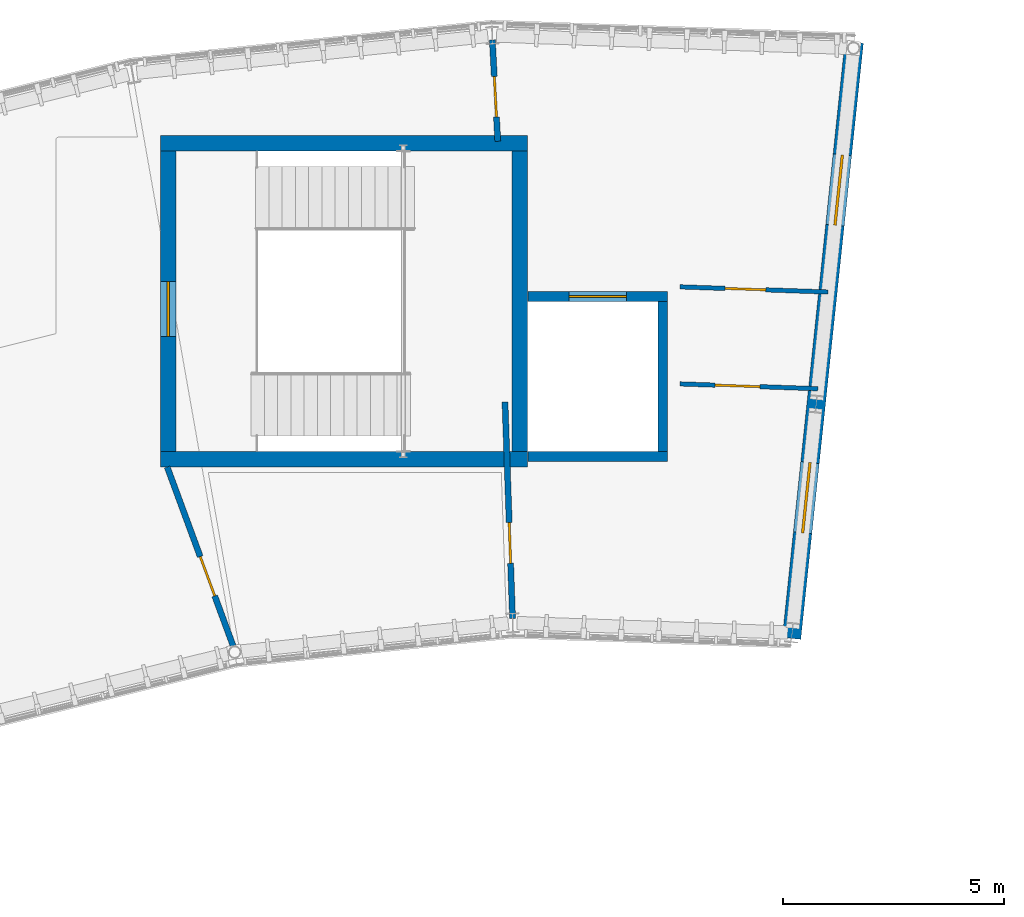
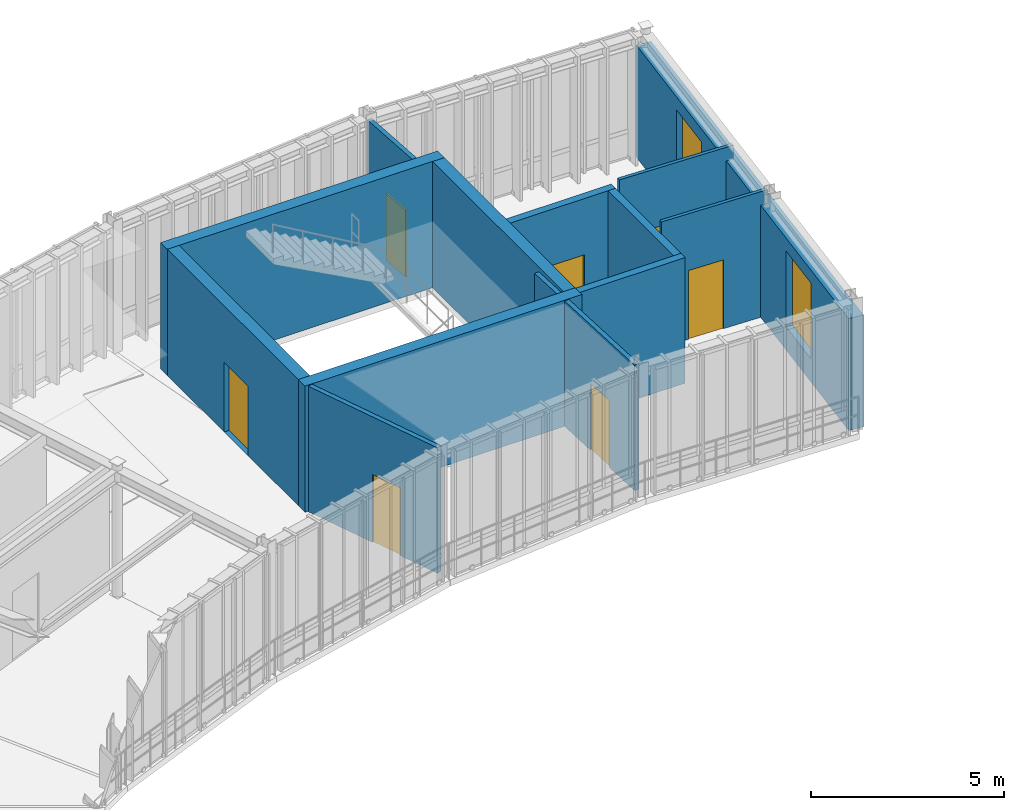
# One storey, part 42 of 52: 13 walls, 7 doors, 2 windows, 9 openings.
"""IFC4 building model written with IfcOpenShell, lengths in metres."""

from ifc_helpers import new_model, si_unit, direction, frame, frame_2d, origin, place, context, subcontext, project, spatial, rectangle, extrude, material, layer, layer_set, type_object, element, fill, save


model = new_model("IFC4")

# Units and contexts
model_context = context("Model", 3, precision=1e-05, world=origin(), true_north=direction((0.0, 1.0)))
body_context = subcontext(model_context, "Body", "Model", "MODEL_VIEW")
ifc_project = project(units=[si_unit("LENGTHUNIT", "METRE"), si_unit("AREAUNIT", "SQUARE_METRE"), si_unit("VOLUMEUNIT", "CUBIC_METRE"), si_unit("PLANEANGLEUNIT", "RADIAN"), si_unit("MASSUNIT", "GRAM", prefix="KILO"), si_unit("THERMODYNAMICTEMPERATUREUNIT", "KELVIN"), si_unit("POWERUNIT", "WATT")], contexts=[model_context])

# Site, building, storey
site_placement = place(None, origin())
site = spatial("IfcSite", under=ifc_project, at=site_placement, CompositionType="ELEMENT")
building_placement = place(site_placement, origin())
building = spatial("IfcBuilding", under=site, at=building_placement, Name="Solvatero Civic Police Headquarters", CompositionType="ELEMENT")
storey_placement = place(building_placement, frame((0.0, 0.0, 13.5)))
storey = spatial("IfcBuildingStorey", under=building, at=storey_placement, Name="L03", CompositionType="ELEMENT", Elevation=13.5)

# Wall, openings, windows
ifc_material_1 = material(Name="Cream Limestone Ashlar", Category="masonry")
ifc_layer_1 = layer(ifc_material_1, 0.419921875)
ifc_layer_set_1 = layer_set([ifc_layer_1], Name="Cream Limestone Ashlar")
wall_type_1 = type_object("IfcWallType", Name="WL-EXT-LIME-420", PredefinedType="SOLIDWALL", material=ifc_layer_set_1)
wall_1_placement = place(storey_placement, frame((98.726806640625, 70.972412109375, 0.0), z_axis=(0.0, 0.0, 1.0), x_axis=(0.104534827036, 0.994521226489, 0.0)))
wall_1 = element("IfcWall", 1, at=wall_1_placement, inside=storey, type_object=wall_type_1, Name="Exterior Wall WLE-L03-ARC-END-E", PredefinedType="SOLIDWALL", context=body_context, shape_type="SweptSolid", body=[
    extrude(rectangle(XDim=13.559814453125, YDim=0.419921875, at=frame_2d((6.77978515625, 0.0))), origin(), (0.0, 0.0, 1.0), 3.550048828125),
])
opening_1_placement = place(wall_1_placement, frame((2.39990234375, 0.0, 0.739990234375)))
opening_1 = element("IfcOpeningElement", 2, at=opening_1_placement, cuts=wall_1, Name="Opening W-04", PredefinedType="OPENING", context=body_context, shape_type="SweptSolid", body=[
    extrude(rectangle(XDim=1.60009765625, YDim=2.39990234375, at=frame_2d((0.800048828125, 1.199951171875))), frame((0.0, 0.219970703125, 0.0), z_axis=(0.0, -1.0, 0.0), x_axis=(1.0, 0.0, 0.0)), (0.0, 0.0, 1.0), 0.43994140625),
])
opening_2_placement = place(wall_1_placement, frame((9.39990234375, 0.0, 0.739990234375)))
opening_2 = element("IfcOpeningElement", 3, at=opening_2_placement, cuts=wall_1, Name="Opening W-04", PredefinedType="OPENING", context=body_context, shape_type="SweptSolid", body=[
    extrude(rectangle(XDim=1.60009765625, YDim=2.39990234375, at=frame_2d((0.800048828125, 1.199951171875))), frame((0.0, 0.219970703125, 0.0), z_axis=(0.0, -1.0, 0.0), x_axis=(1.0, 0.0, 0.0)), (0.0, 0.0, 1.0), 0.43994140625),
])
ifc_material_2 = material(Name="Anodized Bronze Aluminium", Category="aluminium")
window_type = type_object("IfcWindowType", Name="WN-CL-160x240", PartitioningType="SINGLE_PANEL", PredefinedType="WINDOW", material=ifc_material_2)
window_1_placement = place(opening_1_placement, origin())
window_1 = element("IfcWindow", 4, at=window_1_placement, inside=storey, type_object=window_type, Name="Exterior Window 0287", OverallHeight=2.39990234375, OverallWidth=1.60009765625, PartitioningType="SINGLE_PANEL", PredefinedType="WINDOW", context=body_context, shape_type="SweptSolid", body=[
    extrude(rectangle(XDim=1.60009765625, YDim=2.39990234375, at=frame_2d((0.800048828125, 1.199951171875))), frame((0.0, 0.030029296875, 0.0), z_axis=(0.0, -1.0, 0.0), x_axis=(1.0, 0.0, 0.0)), (0.0, 0.0, 1.0), 0.06005859375),
])
fill(opening_1, window_1)
window_2_placement = place(opening_2_placement, origin())
window_2 = element("IfcWindow", 5, at=window_2_placement, inside=storey, type_object=window_type, Name="Exterior Window 0288", OverallHeight=2.39990234375, OverallWidth=1.60009765625, PartitioningType="SINGLE_PANEL", PredefinedType="WINDOW", context=body_context, shape_type="SweptSolid", body=[
    extrude(rectangle(XDim=1.60009765625, YDim=2.39990234375, at=frame_2d((0.800048828125, 1.199951171875))), frame((0.0, 0.030029296875, 0.0), z_axis=(0.0, -1.0, 0.0), x_axis=(1.0, 0.0, 0.0)), (0.0, 0.0, 1.0), 0.06005859375),
])
fill(opening_2, window_2)

# Wall, opening, door
ifc_material_3 = material(Name="Gypsum Acoustic Stud", Category="gypsum")
ifc_layer_2 = layer(ifc_material_3, 0.10009765625)
ifc_layer_set_2 = layer_set([ifc_layer_2], Name="Gypsum Acoustic Stud")
wall_type_2 = type_object("IfcWallType", Name="WL-PTN-100", PredefinedType="PARTITIONING", material=ifc_layer_set_2)
wall_2_placement = place(storey_placement, frame((99.320556640625, 76.62109375, 0.0), z_axis=(0.0, 0.0, 1.0), x_axis=(-0.999389073029, 0.034949688284, 0.0)))
wall_2 = element("IfcWall", 6, at=wall_2_placement, inside=storey, type_object=wall_type_2, Name="Interior Partition WLP-L03-ARC-CIN-B01", PredefinedType="PARTITIONING", context=body_context, shape_type="SweptSolid", body=[
    extrude(rectangle(XDim=3.12255859375, YDim=0.10009765625, at=frame_2d((1.561279296875, 0.0))), origin(), (0.0, 0.0, 1.0), 3.97998046875),
])
opening_3_placement = place(wall_2_placement, frame((1.31103515625, 0.0, 0.0)))
opening_3 = element("IfcOpeningElement", 7, at=opening_3_placement, cuts=wall_2, Name="Opening ID-06", PredefinedType="OPENING", context=body_context, shape_type="SweptSolid", body=[
    extrude(rectangle(XDim=1.02001953125, YDim=2.179931640625, at=frame_2d((0.510009765625, 1.08984375))), frame((0.0, 0.06005859375, 0.0), z_axis=(0.0, -1.0, 0.0), x_axis=(1.0, 0.0, 0.0)), (0.0, 0.0, 1.0), 0.1201171875),
])
ifc_material_4 = material(Name="Powder-Coated Steel", Category="steel")
door_type_1 = type_object("IfcDoorType", Name="DR-LAB-102x218", OperationType="NOTDEFINED", PredefinedType="DOOR", material=ifc_material_4)
door_1_placement = place(opening_3_placement, origin())
door_1 = element("IfcDoor", 8, at=door_1_placement, inside=storey, type_object=door_type_1, Name="Interior Door DR-L03-ARC-IN-B01", OperationType="SINGLE_SWING_LEFT", OverallHeight=2.179931640625, OverallWidth=1.02001953125, PredefinedType="DOOR", context=body_context, shape_type="SweptSolid", body=[
    extrude(rectangle(XDim=1.02001953125, YDim=2.179931640625, at=frame_2d((0.510009765625, 1.08984375))), frame((0.0, 0.02490234375, 0.0), z_axis=(0.0, -1.0, 0.0), x_axis=(1.0, 0.0, 0.0)), (0.0, 0.0, 1.0), 0.050048828125),
])
fill(opening_3, door_1)

wall_3_placement = place(storey_placement, frame((99.550537109375, 78.80908203125, 0.0), z_axis=(0.0, 0.0, 1.0), x_axis=(-0.999391468521, 0.034881121642, 0.0)))
wall_3 = element("IfcWall", 9, at=wall_3_placement, inside=storey, type_object=wall_type_2, Name="Interior Partition WLP-L03-ARC-COUT-B01", PredefinedType="PARTITIONING", context=body_context, shape_type="SweptSolid", body=[
    extrude(rectangle(XDim=3.3525390625, YDim=0.10009765625, at=frame_2d((1.67626953125, 0.0))), origin(), (0.0, 0.0, 1.0), 3.97998046875),
])
opening_4_placement = place(wall_3_placement, frame((1.407958984375, 0.0, 0.0)))
opening_4 = element("IfcOpeningElement", 10, at=opening_4_placement, cuts=wall_3, Name="Opening ID-03", PredefinedType="OPENING", context=body_context, shape_type="SweptSolid", body=[
    extrude(rectangle(XDim=0.919921875, YDim=2.1201171875, at=frame_2d((0.4599609375, 1.06005859375))), frame((0.0, 0.06005859375, 0.0), z_axis=(0.0, -1.0, 0.0), x_axis=(1.0, 0.0, 0.0)), (0.0, 0.0, 1.0), 0.1201171875),
])
ifc_material_5 = material(Name="Acoustic Oak Timber Veneer", Category="wood")
door_type_2 = type_object("IfcDoorType", Name="DR-OFF-092x212", OperationType="NOTDEFINED", PredefinedType="DOOR", material=ifc_material_5)
door_2_placement = place(opening_4_placement, origin())
door_2 = element("IfcDoor", 11, at=door_2_placement, inside=storey, type_object=door_type_2, Name="Interior Door DR-L03-ARC-OUT-B01", OperationType="SINGLE_SWING_RIGHT", OverallHeight=2.1201171875, OverallWidth=0.919921875, PredefinedType="DOOR", context=body_context, shape_type="SweptSolid", body=[
    extrude(rectangle(XDim=0.919921875, YDim=2.1201171875, at=frame_2d((0.4599609375, 1.06005859375))), frame((0.0, 0.02490234375, 0.0), z_axis=(0.0, -1.0, 0.0), x_axis=(1.0, 0.0, 0.0)), (0.0, 0.0, 1.0), 0.050048828125),
])
fill(opening_4, door_2)

ifc_material_6 = material(Name="Gypsum Double-Stud", Category="gypsum")
ifc_layer_3 = layer(ifc_material_6, 0.135009765625)
ifc_layer_set_3 = layer_set([ifc_layer_3], Name="Gypsum Double-Stud")
wall_type_3 = type_object("IfcWallType", Name="WL-PTN-135", PredefinedType="PARTITIONING", material=ifc_layer_set_3)
wall_4_placement = place(storey_placement, frame((92.413818359375, 71.42236328125, 0.0), z_axis=(0.0, 0.0, 1.0), x_axis=(-0.034877560821, 0.999391592796, 0.0)))
wall_4 = element("IfcWall", 12, at=wall_4_placement, inside=storey, type_object=wall_type_3, Name="Interior Partition WLP-L03-ARC-R12-IN", PredefinedType="PARTITIONING", context=body_context, shape_type="SweptSolid", body=[
    extrude(rectangle(XDim=4.89990234375, YDim=0.135009765625, at=frame_2d((2.449951171875, 0.0))), origin(), (0.0, 0.0, 1.0), 3.97998046875),
])
opening_5_placement = place(wall_4_placement, frame((1.25, 0.0, 0.0)))
opening_5 = element("IfcOpeningElement", 13, at=opening_5_placement, cuts=wall_4, Name="Opening ID-03", PredefinedType="OPENING", context=body_context, shape_type="SweptSolid", body=[
    extrude(rectangle(XDim=0.919921875, YDim=2.1201171875, at=frame_2d((0.4599609375, 1.06005859375))), frame((0.0, 0.077392578125, 0.0), z_axis=(0.0, -1.0, 0.0), x_axis=(1.0, 0.0, 0.0)), (0.0, 0.0, 1.0), 0.155029296875),
])
door_3_placement = place(opening_5_placement, origin())
door_3 = element("IfcDoor", 14, at=door_3_placement, inside=storey, type_object=door_type_2, Name="Interior Door DR-L03-ARC-R12-IN", OperationType="SINGLE_SWING_LEFT", OverallHeight=2.1201171875, OverallWidth=0.919921875, PredefinedType="DOOR", context=body_context, shape_type="SweptSolid", body=[
    extrude(rectangle(XDim=0.919921875, YDim=2.1201171875, at=frame_2d((0.4599609375, 1.06005859375))), frame((0.0, 0.02490234375, 0.0), z_axis=(0.0, -1.0, 0.0), x_axis=(1.0, 0.0, 0.0)), (0.0, 0.0, 1.0), 0.050048828125),
])
fill(opening_5, door_3)

wall_5_placement = place(storey_placement, frame((92.080078125, 82.219970703125, 0.0), z_axis=(0.0, 0.0, 1.0), x_axis=(-0.053763372444, 0.998553704006, 0.0)))
wall_5 = element("IfcWall", 15, at=wall_5_placement, inside=storey, type_object=wall_type_3, Name="Interior Partition WLP-L03-ARC-R12-OUT", PredefinedType="PARTITIONING", context=body_context, shape_type="SweptSolid", body=[
    extrude(rectangle(XDim=2.2978515625, YDim=0.135009765625, at=frame_2d((1.14892578125, 0.0))), origin(), (0.0, 0.0, 1.0), 3.97998046875),
])
opening_6_placement = place(wall_5_placement, frame((0.550048828125, 0.0, 0.0)))
opening_6 = element("IfcOpeningElement", 16, at=opening_6_placement, cuts=wall_5, Name="Opening ID-03", PredefinedType="OPENING", context=body_context, shape_type="SweptSolid", body=[
    extrude(rectangle(XDim=0.919921875, YDim=2.1201171875, at=frame_2d((0.4599609375, 1.06005859375))), frame((0.0, 0.077392578125, 0.0), z_axis=(0.0, -1.0, 0.0), x_axis=(1.0, 0.0, 0.0)), (0.0, 0.0, 1.0), 0.155029296875),
])
door_4_placement = place(opening_6_placement, origin())
door_4 = element("IfcDoor", 17, at=door_4_placement, inside=storey, type_object=door_type_2, Name="Interior Door DR-L03-ARC-R12-OUT", OperationType="SINGLE_SWING_RIGHT", OverallHeight=2.1201171875, OverallWidth=0.919921875, PredefinedType="DOOR", context=body_context, shape_type="SweptSolid", body=[
    extrude(rectangle(XDim=0.919921875, YDim=2.1201171875, at=frame_2d((0.4599609375, 1.06005859375))), frame((0.0, 0.02490234375, 0.0), z_axis=(0.0, -1.0, 0.0), x_axis=(1.0, 0.0, 0.0)), (0.0, 0.0, 1.0), 0.050048828125),
])
fill(opening_6, door_4)

wall_6_placement = place(storey_placement, frame((86.107666015625, 70.759521484375, 0.0), z_axis=(0.0, 0.0, 1.0), x_axis=(-0.345809164341, 0.938304866159, 0.0)))
wall_6 = element("IfcWall", 18, at=wall_6_placement, inside=storey, type_object=wall_type_3, Name="Interior Partition WLP-L03-ARC-R23-IN", PredefinedType="PARTITIONING", context=body_context, shape_type="SweptSolid", body=[
    extrude(rectangle(XDim=4.359619140625, YDim=0.135009765625, at=frame_2d((2.1796875, 0.0))), origin(), (0.0, 0.0, 1.0), 3.97998046875),
])
opening_7_placement = place(wall_6_placement, frame((1.25, 0.0, 0.0)))
opening_7 = element("IfcOpeningElement", 19, at=opening_7_placement, cuts=wall_6, Name="Opening ID-04", PredefinedType="OPENING", context=body_context, shape_type="SweptSolid", body=[
    extrude(rectangle(XDim=0.949951171875, YDim=2.14990234375, at=frame_2d((0.47509765625, 1.074951171875))), frame((0.0, 0.077392578125, 0.0), z_axis=(0.0, -1.0, 0.0), x_axis=(1.0, 0.0, 0.0)), (0.0, 0.0, 1.0), 0.155029296875),
])
door_type_3 = type_object("IfcDoorType", Name="DR-ACC-095x215", OperationType="NOTDEFINED", PredefinedType="DOOR", material=ifc_material_5)
door_5_placement = place(opening_7_placement, origin())
door_5 = element("IfcDoor", 20, at=door_5_placement, inside=storey, type_object=door_type_3, Name="Interior Door DR-L03-ARC-R23-IN", OperationType="SINGLE_SWING_LEFT", OverallHeight=2.14990234375, OverallWidth=0.949951171875, PredefinedType="DOOR", context=body_context, shape_type="SweptSolid", body=[
    extrude(rectangle(XDim=0.949951171875, YDim=2.14990234375, at=frame_2d((0.47509765625, 1.074951171875))), frame((0.0, 0.02490234375, 0.0), z_axis=(0.0, -1.0, 0.0), x_axis=(1.0, 0.0, 0.0)), (0.0, 0.0, 1.0), 0.050048828125),
])
fill(opening_7, door_5)

# Wall
ifc_material_7 = material(Name="Concrete C35/45", Category="concrete")
ifc_layer_4 = layer(ifc_material_7, 0.219970703125)
ifc_layer_set_4 = layer_set([ifc_layer_4], Name="Concrete C35/45")
wall_type_4 = type_object("IfcWallType", Name="WL-SHF-220", PredefinedType="PARTITIONING", material=ifc_layer_set_4)
wall_7_placement = place(storey_placement, frame((92.760009765625, 75.090087890625, 0.0), z_axis=(0.0, 0.0, 1.0), x_axis=(1.0, 0.0, 0.0)))
element("IfcWall", 21, at=wall_7_placement, inside=storey, type_object=wall_type_4, Name="Lift Shaft Wall WLS-LG-01-L03-S", PredefinedType="PARTITIONING", context=body_context, shape_type="SweptSolid", body=[
    extrude(rectangle(XDim=3.159912109375, YDim=0.219970703125, at=frame_2d((1.580078125, 0.0))), origin(), (0.0, 0.0, 1.0), 3.97998046875),
])

# Wall, opening, door
wall_8_placement = place(storey_placement, frame((92.760009765625, 78.7099609375, 0.0), z_axis=(0.0, 0.0, 1.0), x_axis=(1.0, 0.0, 0.0)))
wall_8 = element("IfcWall", 22, at=wall_8_placement, inside=storey, type_object=wall_type_4, Name="Lift Shaft Wall WLS-LG-01-L03-N", PredefinedType="PARTITIONING", context=body_context, shape_type="SweptSolid", body=[
    extrude(rectangle(XDim=3.159912109375, YDim=0.219970703125, at=frame_2d((1.580078125, 0.0))), origin(), (0.0, 0.0, 1.0), 3.97998046875),
])
opening_8_placement = place(wall_8_placement, frame((0.929931640625, 0.0, 0.0)))
opening_8 = element("IfcOpeningElement", 23, at=opening_8_placement, cuts=wall_8, Name="Opening LD-02", PredefinedType="OPENING", context=body_context, shape_type="SweptSolid", body=[
    extrude(rectangle(XDim=1.300048828125, YDim=2.199951171875, at=frame_2d((0.64990234375, 1.10009765625))), frame((0.0, 0.119873046875, 0.0), z_axis=(0.0, -1.0, 0.0), x_axis=(1.0, 0.0, 0.0)), (0.0, 0.0, 1.0), 0.239990234375),
])
ifc_material_8 = material(Name="Stainless Steel Grade 316", Category="steel")
door_type_4 = type_object("IfcDoorType", Name="DR-LFT-130x220", OperationType="DOUBLE_DOOR_SLIDING", PredefinedType="DOOR", material=ifc_material_8)
door_6_placement = place(opening_8_placement, origin())
door_6 = element("IfcDoor", 24, at=door_6_placement, inside=storey, type_object=door_type_4, Name="Interior Door DR-LFT-LG-01-L03", OperationType="DOUBLE_DOOR_SLIDING", OverallHeight=2.199951171875, OverallWidth=1.300048828125, PredefinedType="DOOR", context=body_context, shape_type="SweptSolid", body=[
    extrude(rectangle(XDim=1.300048828125, YDim=2.199951171875, at=frame_2d((0.64990234375, 1.10009765625))), frame((0.0, 0.02490234375, 0.0), z_axis=(0.0, -1.0, 0.0), x_axis=(1.0, 0.0, 0.0)), (0.0, 0.0, 1.0), 0.050048828125),
])
fill(opening_8, door_6)

# Walls
wall_9_placement = place(storey_placement, frame((95.81005859375, 75.199951171875, 0.0), z_axis=(0.0, 0.0, 1.0), x_axis=(0.0, 1.0, 0.0)))
element("IfcWall", 25, at=wall_9_placement, inside=storey, type_object=wall_type_4, Name="Lift Shaft Wall WLS-LG-01-L03-E", PredefinedType="PARTITIONING", context=body_context, shape_type="SweptSolid", body=[
    extrude(rectangle(XDim=3.400146484375, YDim=0.219970703125, at=frame_2d((1.7001953125, 0.0))), origin(), (0.0, 0.0, 1.0), 3.97998046875),
])
ifc_material_9 = material(Name="Concrete C40/50", Category="concrete")
ifc_layer_5 = layer(ifc_material_9, 0.35009765625)
ifc_layer_set_5 = layer_set([ifc_layer_5], Name="Concrete C40/50")
wall_type_5 = type_object("IfcWallType", Name="WL-SHR-350", PredefinedType="SHEAR", material=ifc_layer_set_5)
for number, where, z_axis, x_axis, name in (
    (26, (84.449951171875, 75.02490234375, 0.0), (0.0, 0.0, 1.0), (1.0, 0.0, 0.0), "Core C3 Shear Wall S L03"),
    (27, (84.449951171875, 82.175048828125, 0.0), (0.0, 0.0, 1.0), (1.0, 0.0, 0.0), "Core C3 Shear Wall N L03"),
):
    element("IfcWall", number, at=place(storey_placement, frame(where, z_axis=z_axis, x_axis=x_axis)), inside=storey, type_object=wall_type_5, Name=name, PredefinedType="SHEAR", context=body_context, shape_type="SweptSolid", body=[
        extrude(rectangle(XDim=8.300048828125, YDim=0.35009765625, at=frame_2d((4.14990234375, 0.0))), origin(), (0.0, 0.0, 1.0), 4.0),
    ])

# Wall, opening, door
wall_10_placement = place(storey_placement, frame((84.625, 75.199951171875, 0.0), z_axis=(0.0, 0.0, 1.0), x_axis=(0.0, 1.0, 0.0)))
wall_10 = element("IfcWall", 28, at=wall_10_placement, inside=storey, type_object=wall_type_5, Name="Core C3 Shear Wall W L03", PredefinedType="SHEAR", context=body_context, shape_type="SweptSolid", body=[
    extrude(rectangle(XDim=6.800048828125, YDim=0.35009765625, at=frame_2d((3.39990234375, 0.0))), origin(), (0.0, 0.0, 1.0), 4.0),
])
opening_9_placement = place(wall_10_placement, frame((2.60009765625, 0.0, 0.0)))
opening_9 = element("IfcOpeningElement", 29, at=opening_9_placement, cuts=wall_10, Name="Opening FD-01", PredefinedType="OPENING", context=body_context, shape_type="SweptSolid", body=[
    extrude(rectangle(XDim=1.25, YDim=2.199951171875, at=frame_2d((0.625, 1.10009765625))), frame((0.0, 0.18505859375, 0.0), z_axis=(0.0, -1.0, 0.0), x_axis=(1.0, 0.0, 0.0)), (0.0, 0.0, 1.0), 0.3701171875),
])
door_type_5 = type_object("IfcDoorType", Name="DR-STR-125x220", OperationType="NOTDEFINED", PredefinedType="DOOR", material=ifc_material_4)
door_7_placement = place(opening_9_placement, origin())
door_7 = element("IfcDoor", 30, at=door_7_placement, inside=storey, type_object=door_type_5, Name="Interior Door DR-STR-C3-L03", OperationType="SINGLE_SWING_LEFT", OverallHeight=2.199951171875, OverallWidth=1.25, PredefinedType="DOOR", context=body_context, shape_type="SweptSolid", body=[
    extrude(rectangle(XDim=1.25, YDim=2.199951171875, at=frame_2d((0.625, 1.10009765625))), frame((0.0, 0.02490234375, 0.0), z_axis=(0.0, -1.0, 0.0), x_axis=(1.0, 0.0, 0.0)), (0.0, 0.0, 1.0), 0.050048828125),
])
fill(opening_9, door_7)

# Wall
wall_11_placement = place(storey_placement, frame((92.574951171875, 75.199951171875, 0.0), z_axis=(0.0, 0.0, 1.0), x_axis=(0.0, 1.0, 0.0)))
element("IfcWall", 31, at=wall_11_placement, inside=storey, type_object=wall_type_5, Name="Core C3 Shear Wall E L03", PredefinedType="SHEAR", context=body_context, shape_type="SweptSolid", body=[
    extrude(rectangle(XDim=6.800048828125, YDim=0.35009765625, at=frame_2d((3.39990234375, 0.0))), origin(), (0.0, 0.0, 1.0), 4.0),
])

save(model, "model.ifc")
